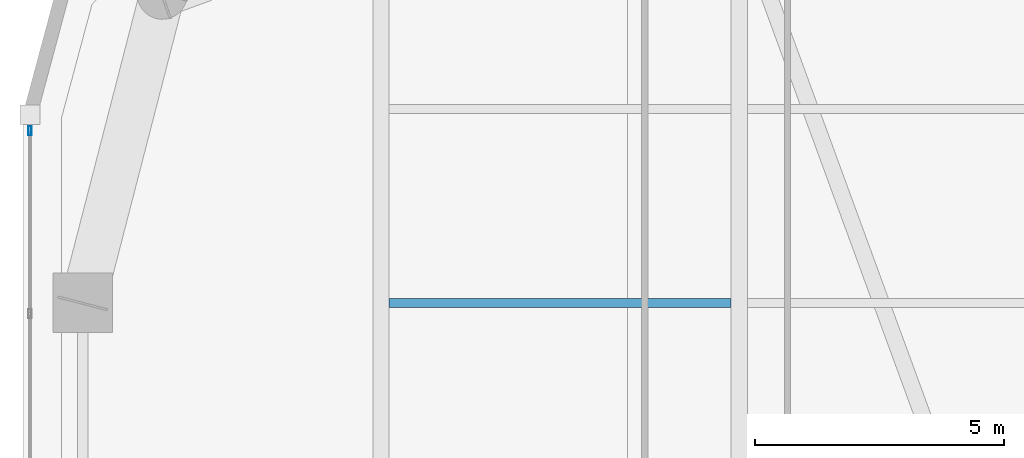
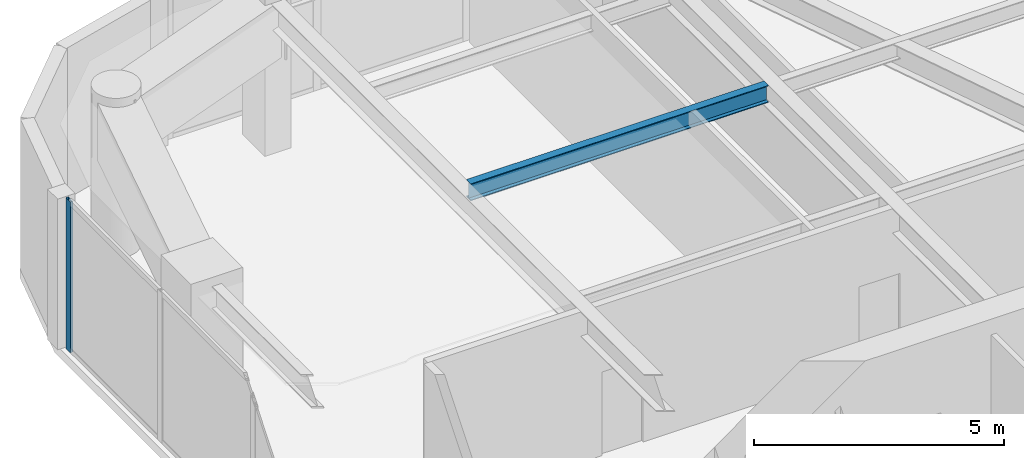
# One storey, part 8 of 21: 1 beam, 1 member, 1 element without a shape of its own.
"""IFC4 building model written with IfcOpenShell, lengths in metres."""

from ifc_helpers import new_model, si_unit, direction, frame, origin, origin_2d, place, context, subcontext, project, spatial, hollow_rectangle, i_section, extrude, material, layer, layer_set, material_profile, profile_set, type_object, element, aggregate, save


model = new_model("IFC4")

# Units and contexts
model_context = context("Model", 3, precision=1e-05, world=origin(), true_north=direction((0.0, 1.0)))
body_context = subcontext(model_context, "Body", "Model", "MODEL_VIEW")
ifc_project = project(units=[si_unit("LENGTHUNIT", "METRE"), si_unit("AREAUNIT", "SQUARE_METRE"), si_unit("VOLUMEUNIT", "CUBIC_METRE"), si_unit("PLANEANGLEUNIT", "RADIAN"), si_unit("MASSUNIT", "GRAM", prefix="KILO")], contexts=[model_context])

# Site, building, storey
site_placement = place(None, origin())
site = spatial("IfcSite", under=ifc_project, at=site_placement, CompositionType="ELEMENT")
building_placement = place(site_placement, origin())
building = spatial("IfcBuilding", under=site, at=building_placement, Name="Kiyonajd Concourse Tower", CompositionType="ELEMENT")
storey_placement = place(building_placement, frame((0.0, 0.0, 219.300048828125)))
storey = spatial("IfcBuildingStorey", under=building, at=storey_placement, Name="L55", CompositionType="ELEMENT", Elevation=219.300048828125)

# Beam
ifc_material_1 = material(Name="Steel ASTM A992 Grade 50", Category="steel")
ifc_material_profile_1 = material_profile(ifc_material_1, i_section(OverallWidth=0.180908203125, OverallDepth=0.4169921875, WebThickness=0.010986328125, FlangeThickness=0.018310546875, at=origin_2d()), Name="W410X85")
ifc_profile_set_1 = profile_set([ifc_material_profile_1], Name="Steel ASTM A992 Grade 50")
beam_type = type_object("IfcBeamType", Name="BM-JST-410", PredefinedType="JOIST", material=ifc_profile_set_1)
beam_placement = place(storey_placement, frame((32.56201171875, 53.39990234375, 3.471435546875), z_axis=(1.0, 0.0, 0.0), x_axis=(0.0, 1.0, 0.0)))
element("IfcBeam", 1, at=beam_placement, inside=storey, type_object=beam_type, Name="L55 Secondary Floor Joist", PredefinedType="JOIST", context=body_context, shape_type="SweptSolid", body=[
    extrude(i_section(OverallWidth=0.180908203125, OverallDepth=0.4169921875, WebThickness=0.010986328125, FlangeThickness=0.018310546875, at=origin_2d()), origin(), (0.0, 0.0, 1.0), 6.8759765625),
])

# Curtain wall, member
ifc_material_2 = material(Name="Thermally Broken Anodised Aluminium", Category="aluminium")
ifc_layer = layer(ifc_material_2, 0.179931640625)
ifc_layer_set = layer_set([ifc_layer], Name="Thermally Broken Anodised Aluminium")
curtain_wall_type = type_object("IfcCurtainWallType", Name="CW-SYS-04", PredefinedType="NOTDEFINED", material=ifc_layer_set)
curtain_wall_placement = place(storey_placement, origin())
curtain_wall = element("IfcCurtainWall", 2, at=curtain_wall_placement, inside=storey, type_object=curtain_wall_type, Name="L55 Unitised Curtain Wall CW4", PredefinedType="NOTDEFINED")
ifc_material_profile_2 = material_profile(ifc_material_2, hollow_rectangle(XDim=0.06494140625, YDim=0.179931640625, WallThickness=0.00390625, at=origin_2d()), Name="MULL-65x180")
ifc_profile_set_2 = profile_set([ifc_material_profile_2], Name="Thermally Broken Anodised Aluminium")
member_type = type_object("IfcMemberType", Name="MB-CW-MULL1", PredefinedType="MULLION", material=ifc_profile_set_2)
member_placement = place(storey_placement, frame((25.340087890625, 56.859130859375, 0.0), z_axis=(0.0, 0.0, 1.0), x_axis=(-1.0, 0.0, 0.0)))
member = element("IfcMember", 3, at=member_placement, type_object=member_type, Name="CW4 mullion 7", PredefinedType="MULLION", context=body_context, shape_type="SweptSolid", body=[
    extrude(hollow_rectangle(XDim=0.06494140625, YDim=0.179931640625, WallThickness=0.00390625, at=origin_2d()), origin(), (0.0, 0.0, 1.0), 3.679931640625),
])
aggregate(curtain_wall, [member])

save(model, "model.ifc")
